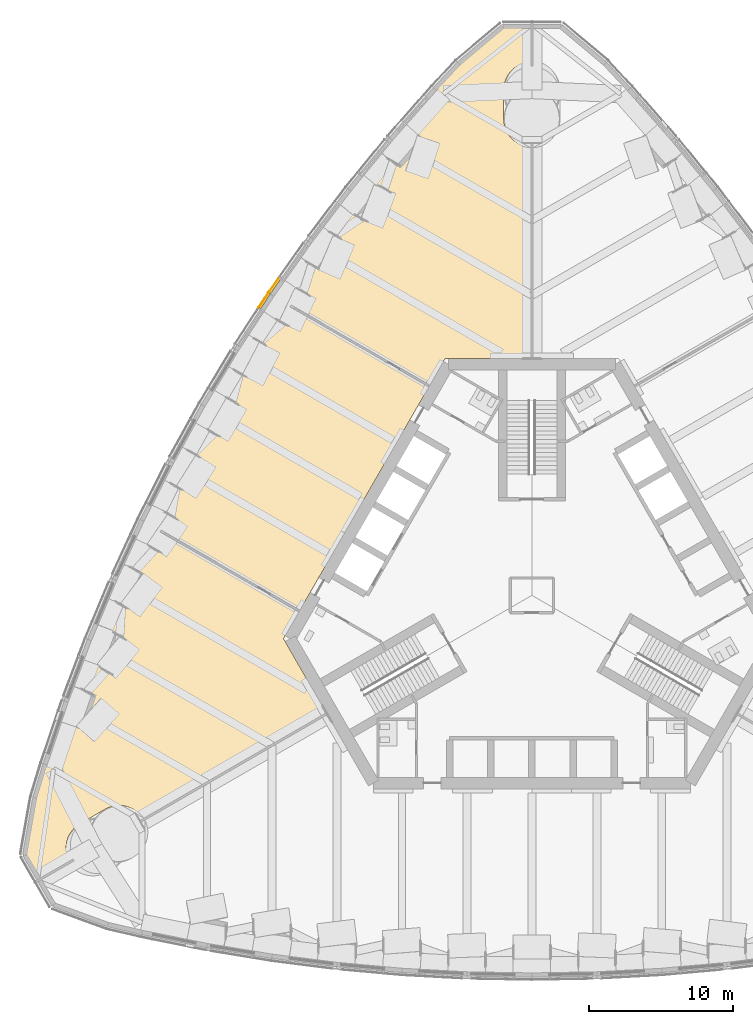
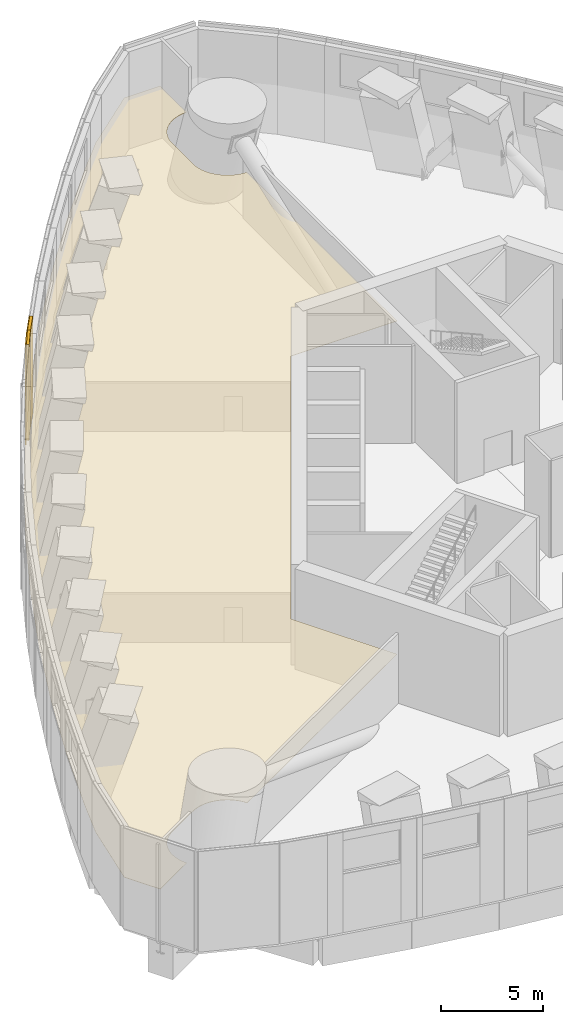
# One storey, part 17 of 25: 5 coverings.
"""IFC4 building model written with IfcOpenShell, lengths in metres."""

from ifc_helpers import new_model, si_unit, direction, frame, origin, origin_2d, place, context, subcontext, project, spatial, polyline, rectangle, outline, extrude, material, layer, layer_set, type_object, element, save


model = new_model("IFC4")

# Units and contexts
model_context = context("Model", 3, precision=1e-05, world=origin(), true_north=direction((0.0, 1.0)))
body_context = subcontext(model_context, "Body", "Model", "MODEL_VIEW")
ifc_project = project(units=[si_unit("LENGTHUNIT", "METRE"), si_unit("AREAUNIT", "SQUARE_METRE"), si_unit("VOLUMEUNIT", "CUBIC_METRE"), si_unit("PLANEANGLEUNIT", "RADIAN"), si_unit("MASSUNIT", "GRAM", prefix="KILO")], contexts=[model_context])

# Site, building, storey
site_placement = place(None, origin())
site = spatial("IfcSite", under=ifc_project, at=site_placement, CompositionType="ELEMENT")
building_placement = place(site_placement, origin())
building = spatial("IfcBuilding", under=site, at=building_placement, Name="Trefoil Bronze Tower", CompositionType="ELEMENT")
storey_placement = place(building_placement, frame((0.0, 0.0, 178.699951171875)))
storey = spatial("IfcBuildingStorey", under=building, at=storey_placement, Name="L41", CompositionType="ELEMENT", Elevation=178.699951171875)

# Coverings
ifc_material_1 = material(Name="Bronze-finish aluminium rainscreen panel on aluminium rails", Category="aluminium")
ifc_layer_1 = layer(ifc_material_1, 0.0400390625)
ifc_layer_set_1 = layer_set([ifc_layer_1], Name="Bronze cladding panel 40")
covering_type_1 = type_object("IfcCoveringType", Name="Bronze cladding panel 40", PredefinedType="CLADDING", material=ifc_layer_set_1)
covering_1_placement = place(storey_placement, frame((-17.905517578125, 21.464111328125, 0.0), z_axis=(0.0, 0.0, 1.0), x_axis=(-0.575999283347, -0.817450197617, 0.0)))
element("IfcCovering", 1, at=covering_1_placement, inside=storey, type_object=covering_type_1, Name="Cladding panel L41 Face 3.5 piece 2", PredefinedType="CLADDING", context=body_context, shape_type="SweptSolid", body=[
    extrude(rectangle(XDim=1.21826171875, YDim=0.0400390625, at=origin_2d()), origin(), (0.0, 0.0, 1.0), 6.0),
])
covering_2_placement = place(storey_placement, frame((-18.592529296875, 20.450927734375, 0.0), z_axis=(0.0, 0.0, 1.0), x_axis=(-0.546088612179, -0.837727418465, 0.0)))
element("IfcCovering", 2, at=covering_2_placement, inside=storey, type_object=covering_type_1, Name="Cladding panel L41 Face 3.6 piece 1", PredefinedType="CLADDING", context=body_context, shape_type="SweptSolid", body=[
    extrude(rectangle(XDim=1.20654296875, YDim=0.0400390625, at=origin_2d()), origin(), (0.0, 0.0, 1.0), 6.0),
])
ifc_material_2 = material(Name="Acoustic ceiling panels", Category="mineral fibre")
ifc_layer_2 = layer(ifc_material_2, 0.02001953125)
ifc_layer_set_2 = layer_set([ifc_layer_2], Name="Office ceiling 20")
covering_type_2 = type_object("IfcCoveringType", Name="Office ceiling 20", PredefinedType="CEILING", material=ifc_layer_set_2)
covering_3_placement = place(storey_placement, frame((0.0, 0.0, 2.900146484375)))
element("IfcCovering", 3, at=covering_3_placement, inside=storey, type_object=covering_type_2, Name="Ceiling L41 Electrical plant room F3", PredefinedType="CEILING", context=body_context, shape_type="SweptSolid", body=[
    extrude(outline(polyline([(-33.847900390625, -11.634765625), (-32.385986328125, -7.28271484375), (-30.776611328125, -3.015625), (-29.022216796875, 1.16748046875), (-27.124755859375, 5.268310546875), (-25.085693359375, 9.287109375), (-22.906005859375, 13.224853515625), (-20.585693359375, 17.081298828125), (-18.124755859375, 20.856689453125), (-15.522216796875, 24.55029296875), (-12.776611328125, 28.1611328125), (-9.885986328125, 31.6884765625), (-6.847900390625, 35.130615234375), (-5.1962890625, 36.8994140625), (-2.052001953125, 39.53759765625), (-0.014892578125, 39.53759765625), (-0.013916015625, 36.94970703125), (-0.095703125, 36.94775390625), (-0.191162109375, 36.940673828125), (-0.2861328125, 36.928955078125), (-0.38037109375, 36.91259765625), (-0.473876953125, 36.8916015625), (-0.566162109375, 36.865966796875), (-0.656982421875, 36.8359375), (-0.74609375, 36.801513671875), (-0.833740234375, 36.7626953125), (-0.919189453125, 36.7197265625), (-1.00244140625, 36.672607421875), (-1.08349609375, 36.621337890625), (-1.16162109375, 36.56640625), (-1.237060546875, 36.50732421875), (-1.3095703125, 36.44482421875), (-1.37890625, 36.37890625), (-1.44482421875, 36.3095703125), (-1.50732421875, 36.237060546875), (-1.56640625, 36.16162109375), (-1.621337890625, 36.08349609375), (-1.672607421875, 36.00244140625), (-1.7197265625, 35.919189453125), (-1.7626953125, 35.833740234375), (-1.801513671875, 35.74609375), (-1.8359375, 35.656982421875), (-1.865966796875, 35.566162109375), (-1.8916015625, 35.473876953125), (-1.91259765625, 35.38037109375), (-1.928955078125, 35.2861328125), (-1.940673828125, 35.191162109375), (-1.94775390625, 35.095703125), (-1.949951171875, 35.0), (-1.949951171875, 33.0), (-1.94775390625, 32.904296875), (-1.940673828125, 32.808837890625), (-1.928955078125, 32.7138671875), (-1.91259765625, 32.61962890625), (-1.8916015625, 32.526123046875), (-1.865966796875, 32.433837890625), (-1.8359375, 32.343017578125), (-1.801513671875, 32.25390625), (-1.7626953125, 32.166259765625), (-1.7197265625, 32.080810546875), (-1.672607421875, 31.99755859375), (-1.621337890625, 31.91650390625), (-1.56640625, 31.83837890625), (-1.50732421875, 31.762939453125), (-1.44482421875, 31.6904296875), (-1.37890625, 31.62109375), (-1.3095703125, 31.55517578125), (-1.237060546875, 31.49267578125), (-1.16162109375, 31.43359375), (-1.08349609375, 31.378662109375), (-1.00244140625, 31.327392578125), (-0.919189453125, 31.2802734375), (-0.833740234375, 31.2373046875), (-0.74609375, 31.198486328125), (-0.656982421875, 31.1640625), (-0.566162109375, 31.134033203125), (-0.473876953125, 31.1083984375), (-0.38037109375, 31.08740234375), (-0.2861328125, 31.071044921875), (-0.191162109375, 31.059326171875), (-0.095703125, 31.05224609375), (-0.01171875, 31.05029296875), (-0.006103515625, 16.39990234375), (-6.00439453125, 16.39990234375), (-17.205078125, -3.0), (-14.205810546875, -8.194580078125), (-26.896240234375, -15.51513671875), (-26.95751953125, -15.41650390625), (-27.0126953125, -15.33837890625), (-27.071533203125, -15.262939453125), (-27.134033203125, -15.1904296875), (-27.199951171875, -15.12109375), (-27.269287109375, -15.05517578125), (-27.341796875, -14.99267578125), (-27.417236328125, -14.93359375), (-27.49560546875, -14.878662109375), (-27.576416015625, -14.827392578125), (-27.65966796875, -14.7802734375), (-27.7451171875, -14.7373046875), (-27.83251953125, -14.698486328125), (-27.921875, -14.6640625), (-28.0126953125, -14.634033203125), (-28.10498046875, -14.6083984375), (-28.198486328125, -14.58740234375), (-28.292724609375, -14.571044921875), (-28.3876953125, -14.559326171875), (-28.483154296875, -14.55224609375), (-28.578857421875, -14.550048828125), (-28.674560546875, -14.55224609375), (-28.77001953125, -14.559326171875), (-28.864990234375, -14.571044921875), (-28.959228515625, -14.58740234375), (-29.052490234375, -14.6083984375), (-29.14501953125, -14.634033203125), (-29.23583984375, -14.6640625), (-29.3251953125, -14.698486328125), (-29.41259765625, -14.7373046875), (-29.498046875, -14.7802734375), (-29.581298828125, -14.827392578125), (-31.3134765625, -15.827392578125), (-31.394287109375, -15.878662109375), (-31.472412109375, -15.93359375), (-31.548095703125, -15.99267578125), (-31.620361328125, -16.05517578125), (-31.689697265625, -16.12109375), (-31.755615234375, -16.1904296875), (-31.818359375, -16.262939453125), (-31.877197265625, -16.33837890625), (-31.932373046875, -16.41650390625), (-31.9833984375, -16.49755859375), (-32.030517578125, -16.580810546875), (-32.07373046875, -16.666259765625), (-32.112548828125, -16.75390625), (-32.14697265625, -16.843017578125), (-32.177001953125, -16.933837890625), (-32.202392578125, -17.026123046875), (-32.223388671875, -17.11962890625), (-32.23974609375, -17.2138671875), (-32.25146484375, -17.308837890625), (-32.258544921875, -17.404296875), (-32.260986328125, -17.5), (-32.258544921875, -17.595703125), (-32.25146484375, -17.691162109375), (-32.23974609375, -17.7861328125), (-32.223388671875, -17.88037109375), (-32.202392578125, -17.973876953125), (-32.177001953125, -18.066162109375), (-32.14697265625, -18.156982421875), (-32.112548828125, -18.24609375), (-32.07373046875, -18.333740234375), (-32.030517578125, -18.419189453125), (-32.006103515625, -18.462646484375), (-34.247802734375, -19.755859375), (-35.2666015625, -17.99169921875), (-34.5537109375, -13.94970703125), (-33.847900390625, -11.634765625)])), origin(), (0.0, 0.0, 1.0), 0.02001953125),
])
ifc_material_3 = material(Name="Non-combustible mineral wool slab", Category="insulation")
ifc_layer_3 = layer(ifc_material_3, 0.14990234375)
ifc_layer_set_3 = layer_set([ifc_layer_3], Name="Rainscreen insulation 150")
covering_type_3 = type_object("IfcCoveringType", Name="Rainscreen insulation 150", PredefinedType="INSULATION", material=ifc_layer_set_3)
covering_4_placement = place(storey_placement, frame((-17.827880859375, 21.4091796875, 0.14013671875), z_axis=(0.0, 0.0, 1.0), x_axis=(-0.575999283347, -0.817450197617, 0.0)))
element("IfcCovering", 4, at=covering_4_placement, inside=storey, type_object=covering_type_3, Name="Insulation L41 Face 3.5 piece 2", PredefinedType="INSULATION", context=body_context, shape_type="SweptSolid", body=[
    extrude(rectangle(XDim=1.21826171875, YDim=0.14990234375, at=origin_2d()), origin(), (0.0, 0.0, 1.0), 5.860107421875),
])
covering_5_placement = place(storey_placement, frame((-18.512939453125, 20.399169921875, 0.2451171875), z_axis=(0.0, 0.0, 1.0), x_axis=(-0.546088612179, -0.837727418465, 0.0)))
element("IfcCovering", 5, at=covering_5_placement, inside=storey, type_object=covering_type_3, Name="Insulation L41 Face 3.6 piece 1", PredefinedType="INSULATION", context=body_context, shape_type="SweptSolid", body=[
    extrude(rectangle(XDim=1.20654296875, YDim=0.14990234375, at=origin_2d()), origin(), (0.0, 0.0, 1.0), 5.7548828125),
])

save(model, "model.ifc")
